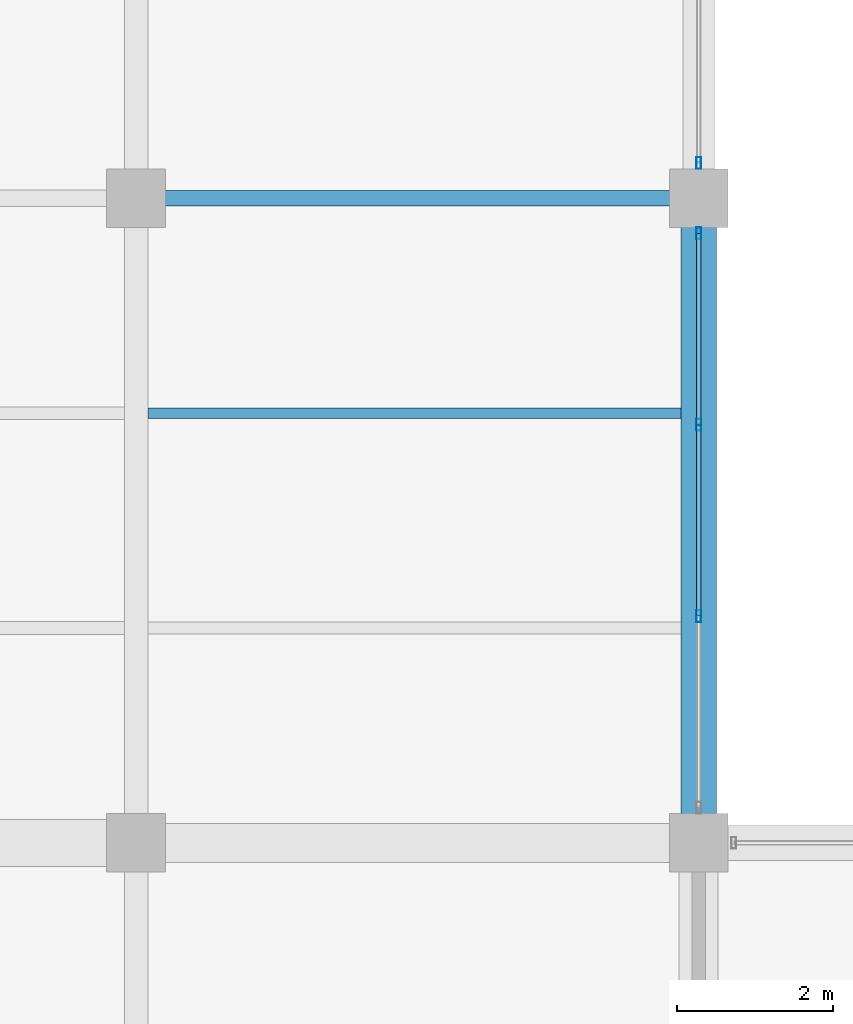
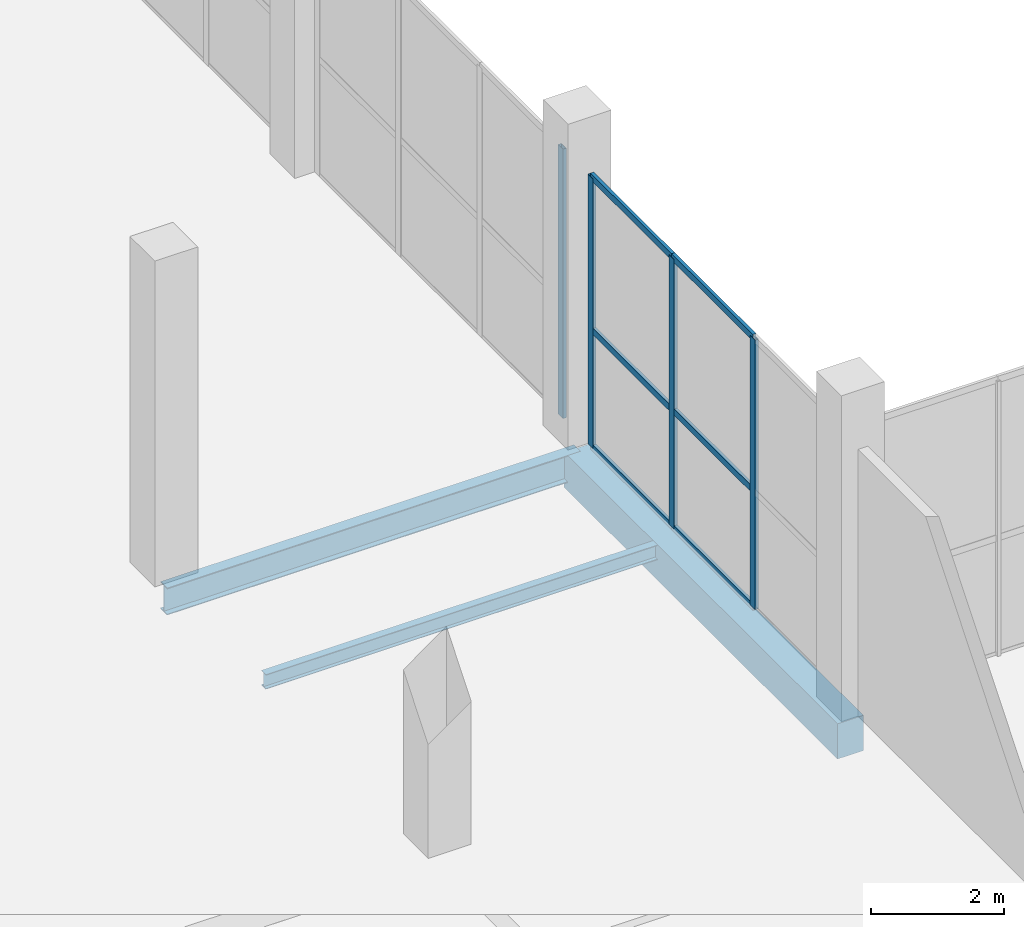
# One storey, part 70 of 144: 10 members, 3 beams, 2 elements without a shape of their own.
"""IFC4 building model written with IfcOpenShell, lengths in metres."""

from ifc_helpers import new_model, si_unit, direction, frame, origin, origin_2d, place, context, subcontext, project, spatial, rectangle, hollow_rectangle, i_section, extrude, material, layer, layer_set, material_profile, profile_set, type_object, element, aggregate, save


model = new_model("IFC4")

# Units and contexts
model_context = context("Model", 3, precision=1e-05, world=origin(), true_north=direction((0.0, 1.0)))
body_context = subcontext(model_context, "Body", "Model", "MODEL_VIEW")
ifc_project = project(units=[si_unit("LENGTHUNIT", "METRE"), si_unit("AREAUNIT", "SQUARE_METRE"), si_unit("VOLUMEUNIT", "CUBIC_METRE"), si_unit("PLANEANGLEUNIT", "RADIAN"), si_unit("MASSUNIT", "GRAM", prefix="KILO")], contexts=[model_context])

# Site, building, storey
site_placement = place(None, origin())
site = spatial("IfcSite", under=ifc_project, at=site_placement, CompositionType="ELEMENT")
building_placement = place(site_placement, origin())
building = spatial("IfcBuilding", under=site, at=building_placement, Name="Sundgate Opera House", CompositionType="ELEMENT")
storey_placement = place(building_placement, origin())
storey = spatial("IfcBuildingStorey", under=building, at=storey_placement, Name="L00", CompositionType="ELEMENT", Elevation=0.0)

# Beams
ifc_material_1 = material(Name="Steel S355J2", Category="steel")
ifc_material_profile_1 = material_profile(ifc_material_1, i_section(OverallWidth=0.199951171875, OverallDepth=0.5, WebThickness=0.01025390625, FlangeThickness=0.01611328125, at=origin_2d()), Name="IPE 500")
ifc_profile_set_1 = profile_set([ifc_material_profile_1], Name="Steel S355J2")
beam_type_1 = type_object("IfcBeamType", Name="BM-GR-IPE500", PredefinedType="BEAM", material=ifc_profile_set_1)
beam_1_placement = place(storey_placement, frame((117.0, 95.25, -0.570068359375), z_axis=(1.0, 0.0, 0.0), x_axis=(0.0, 1.0, 0.0)))
element("IfcBeam", 1, at=beam_1_placement, inside=storey, type_object=beam_type_1, Name="L00 Primary E-W Girder B0536", PredefinedType="BEAM", context=body_context, shape_type="SweptSolid", body=[
    extrude(i_section(OverallWidth=0.199951171875, OverallDepth=0.5, WebThickness=0.01025390625, FlangeThickness=0.01611328125, at=origin_2d()), origin(), (0.0, 0.0, 1.0), 7.199951171875),
])
ifc_material_2 = material(Name="Steel S355J2", Category="steel")
ifc_material_profile_2 = material_profile(ifc_material_2, i_section(OverallWidth=0.135009765625, OverallDepth=0.27001953125, WebThickness=0.006591796875, FlangeThickness=0.01025390625, at=origin_2d()), Name="IPE 270")
ifc_profile_set_2 = profile_set([ifc_material_profile_2], Name="Steel S355J2")
beam_type_2 = type_object("IfcBeamType", Name="BM-JS-IPE270", PredefinedType="JOIST", material=ifc_profile_set_2)
beam_2_placement = place(storey_placement, frame((117.14990234375, 92.5, -0.455078125), z_axis=(1.0, 0.0, 0.0), x_axis=(0.0, 1.0, 0.0)))
element("IfcBeam", 2, at=beam_2_placement, inside=storey, type_object=beam_type_2, Name="L00 Secondary Floor Joist B0943", PredefinedType="JOIST", context=body_context, shape_type="SweptSolid", body=[
    extrude(i_section(OverallWidth=0.135009765625, OverallDepth=0.27001953125, WebThickness=0.006591796875, FlangeThickness=0.01025390625, at=origin_2d()), origin(), (0.0, 0.0, 1.0), 6.8251953125),
])
ifc_material_3 = material(Name="Concrete C35/45", Category="concrete")
ifc_material_profile_3 = material_profile(ifc_material_3, rectangle(XDim=0.449951171875, YDim=0.64990234375, at=origin_2d()), Name="RC 450x650")
ifc_profile_set_3 = profile_set([ifc_material_profile_3], Name="Concrete C35/45")
beam_type_3 = type_object("IfcBeamType", Name="BM-RC-450x650", PredefinedType="BEAM", material=ifc_profile_set_3)
beam_3_placement = place(storey_placement, frame((124.199951171875, 87.0, -0.64501953125), z_axis=(0.0, 1.0, 0.0), x_axis=(-1.0, 0.0, 0.0)))
element("IfcBeam", 3, at=beam_3_placement, inside=storey, type_object=beam_type_3, Name="L00 Primary N-S Girder B0254", PredefinedType="BEAM", context=body_context, shape_type="SweptSolid", body=[
    extrude(rectangle(XDim=0.449951171875, YDim=0.64990234375, at=origin_2d()), origin(), (0.0, 0.0, 1.0), 8.25),
])

# Curtain wall, members
ifc_material_4 = material(Name="Anodized aluminium and low-iron glass", Category="aluminium")
ifc_layer = layer(ifc_material_4, 0.159912109375)
ifc_layer_set = layer_set([ifc_layer], Name="Anodized aluminium and low-iron glass")
curtain_wall_type = type_object("IfcCurtainWallType", Name="CW-STUDIO-DARK", PredefinedType="NOTDEFINED", material=ifc_layer_set)
curtain_wall_1_placement = place(storey_placement, origin())
curtain_wall_1 = element("IfcCurtainWall", 4, at=curtain_wall_1_placement, inside=storey, type_object=curtain_wall_type, Name="L00 Curtain Wall CW088", PredefinedType="NOTDEFINED")
ifc_material_5 = material(Name="Anodized aluminium EN AW-6063", Category="aluminium")
ifc_material_profile_4 = material_profile(ifc_material_5, hollow_rectangle(XDim=0.06005859375, YDim=0.14990234375, WallThickness=0.00390625, at=origin_2d()), Name="CWM 150x60x4")
ifc_profile_set_4 = profile_set([ifc_material_profile_4], Name="Anodized aluminium EN AW-6063")
member_type_1 = type_object("IfcMemberType", Name="CWM-ALU-150x60", PredefinedType="MULLION", material=ifc_profile_set_4)
member_1_placement = place(storey_placement, frame((124.199951171875, 89.89990234375, 0.0), z_axis=(0.0, 0.0, 1.0), x_axis=(1.0, 0.0, 0.0)))
member_1 = element("IfcMember", 5, at=member_1_placement, type_object=member_type_1, Name="CW088 Mullion 2", PredefinedType="MULLION", context=body_context, shape_type="SweptSolid", body=[
    extrude(hollow_rectangle(XDim=0.06005859375, YDim=0.14990234375, WallThickness=0.00390625, at=origin_2d()), origin(), (0.0, 0.0, 1.0), 4.965087890625),
])
member_2_placement = place(storey_placement, frame((124.199951171875, 92.35009765625, 0.0), z_axis=(0.0, 0.0, 1.0), x_axis=(1.0, 0.0, 0.0)))
member_2 = element("IfcMember", 6, at=member_2_placement, type_object=member_type_1, Name="CW088 Mullion 3", PredefinedType="MULLION", context=body_context, shape_type="SweptSolid", body=[
    extrude(hollow_rectangle(XDim=0.06005859375, YDim=0.14990234375, WallThickness=0.00390625, at=origin_2d()), origin(), (0.0, 0.0, 1.0), 4.965087890625),
])
member_3_placement = place(storey_placement, frame((124.199951171875, 94.800048828125, 0.0), z_axis=(0.0, 0.0, 1.0), x_axis=(1.0, 0.0, 0.0)))
member_3 = element("IfcMember", 7, at=member_3_placement, type_object=member_type_1, Name="CW088 Mullion 4", PredefinedType="MULLION", context=body_context, shape_type="SweptSolid", body=[
    extrude(hollow_rectangle(XDim=0.06005859375, YDim=0.14990234375, WallThickness=0.00390625, at=origin_2d()), origin(), (0.0, 0.0, 1.0), 4.965087890625),
])

# Curtain wall, member
curtain_wall_2_placement = place(storey_placement, origin())
curtain_wall_2 = element("IfcCurtainWall", 8, at=curtain_wall_2_placement, inside=storey, type_object=curtain_wall_type, Name="L00 Curtain Wall CW090", PredefinedType="NOTDEFINED")
member_4_placement = place(storey_placement, frame((124.199951171875, 95.699951171875, 0.0), z_axis=(0.0, 0.0, 1.0), x_axis=(1.0, 0.0, 0.0)))
member_4 = element("IfcMember", 9, at=member_4_placement, type_object=member_type_1, Name="CW090 Mullion 1", PredefinedType="MULLION", context=body_context, shape_type="SweptSolid", body=[
    extrude(hollow_rectangle(XDim=0.06005859375, YDim=0.14990234375, WallThickness=0.00390625, at=origin_2d()), origin(), (0.0, 0.0, 1.0), 4.965087890625),
])
aggregate(curtain_wall_2, [member_4])

# Member
ifc_material_6 = material(Name="Anodized aluminium EN AW-6063", Category="aluminium")
ifc_material_profile_5 = material_profile(ifc_material_6, hollow_rectangle(XDim=0.054931640625, YDim=0.1201171875, WallThickness=0.00390625, at=origin_2d()), Name="CWT 120x55x4")
ifc_profile_set_5 = profile_set([ifc_material_profile_5], Name="Anodized aluminium EN AW-6063")
member_type_2 = type_object("IfcMemberType", Name="CWT-ALU-120x55", PredefinedType="USERDEFINED", material=ifc_profile_set_5)
member_5_placement = place(storey_placement, frame((124.199951171875, 89.89990234375, 0.0), z_axis=(0.0, 1.0, 0.0), x_axis=(-1.0, 0.0, 0.0)))
member_5 = element("IfcMember", 10, at=member_5_placement, type_object=member_type_2, Name="CW088 Transom 4", ObjectType="TRANSOM", PredefinedType="USERDEFINED", context=body_context, shape_type="SweptSolid", body=[
    extrude(hollow_rectangle(XDim=0.054931640625, YDim=0.1201171875, WallThickness=0.00390625, at=origin_2d()), origin(), (0.0, 0.0, 1.0), 2.4501953125),
])

member_6_placement = place(storey_placement, frame((124.199951171875, 89.89990234375, 2.14990234375), z_axis=(0.0, 1.0, 0.0), x_axis=(-1.0, 0.0, 0.0)))
member_6 = element("IfcMember", 11, at=member_6_placement, type_object=member_type_2, Name="CW088 Transom 5", ObjectType="TRANSOM", PredefinedType="USERDEFINED", context=body_context, shape_type="SweptSolid", body=[
    extrude(hollow_rectangle(XDim=0.054931640625, YDim=0.1201171875, WallThickness=0.00390625, at=origin_2d()), origin(), (0.0, 0.0, 1.0), 2.4501953125),
])

member_7_placement = place(storey_placement, frame((124.199951171875, 89.89990234375, 4.965087890625), z_axis=(0.0, 1.0, 0.0), x_axis=(-1.0, 0.0, 0.0)))
member_7 = element("IfcMember", 12, at=member_7_placement, type_object=member_type_2, Name="CW088 Transom 6", ObjectType="TRANSOM", PredefinedType="USERDEFINED", context=body_context, shape_type="SweptSolid", body=[
    extrude(hollow_rectangle(XDim=0.054931640625, YDim=0.1201171875, WallThickness=0.00390625, at=origin_2d()), origin(), (0.0, 0.0, 1.0), 2.4501953125),
])

member_8_placement = place(storey_placement, frame((124.199951171875, 92.35009765625, 0.0), z_axis=(0.0, 1.0, 0.0), x_axis=(-1.0, 0.0, 0.0)))
member_8 = element("IfcMember", 13, at=member_8_placement, type_object=member_type_2, Name="CW088 Transom 7", ObjectType="TRANSOM", PredefinedType="USERDEFINED", context=body_context, shape_type="SweptSolid", body=[
    extrude(hollow_rectangle(XDim=0.054931640625, YDim=0.1201171875, WallThickness=0.00390625, at=origin_2d()), origin(), (0.0, 0.0, 1.0), 2.449951171875),
])

member_9_placement = place(storey_placement, frame((124.199951171875, 92.35009765625, 2.14990234375), z_axis=(0.0, 1.0, 0.0), x_axis=(-1.0, 0.0, 0.0)))
member_9 = element("IfcMember", 14, at=member_9_placement, type_object=member_type_2, Name="CW088 Transom 8", ObjectType="TRANSOM", PredefinedType="USERDEFINED", context=body_context, shape_type="SweptSolid", body=[
    extrude(hollow_rectangle(XDim=0.054931640625, YDim=0.1201171875, WallThickness=0.00390625, at=origin_2d()), origin(), (0.0, 0.0, 1.0), 2.449951171875),
])

member_10_placement = place(storey_placement, frame((124.199951171875, 92.35009765625, 4.965087890625), z_axis=(0.0, 1.0, 0.0), x_axis=(-1.0, 0.0, 0.0)))
member_10 = element("IfcMember", 15, at=member_10_placement, type_object=member_type_2, Name="CW088 Transom 9", ObjectType="TRANSOM", PredefinedType="USERDEFINED", context=body_context, shape_type="SweptSolid", body=[
    extrude(hollow_rectangle(XDim=0.054931640625, YDim=0.1201171875, WallThickness=0.00390625, at=origin_2d()), origin(), (0.0, 0.0, 1.0), 2.449951171875),
])

aggregate(curtain_wall_1, [member_1, member_2, member_3, member_5, member_6, member_7, member_8, member_9, member_10])

save(model, "model.ifc")
